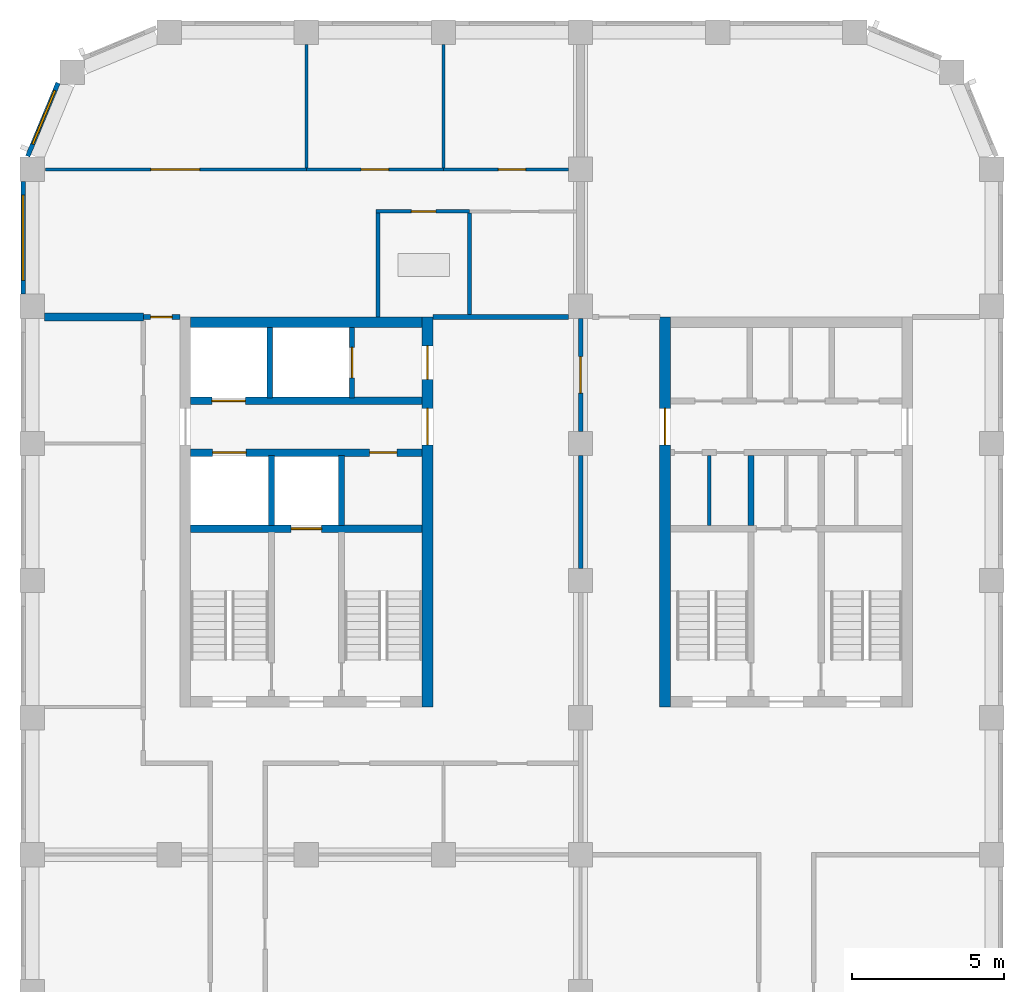
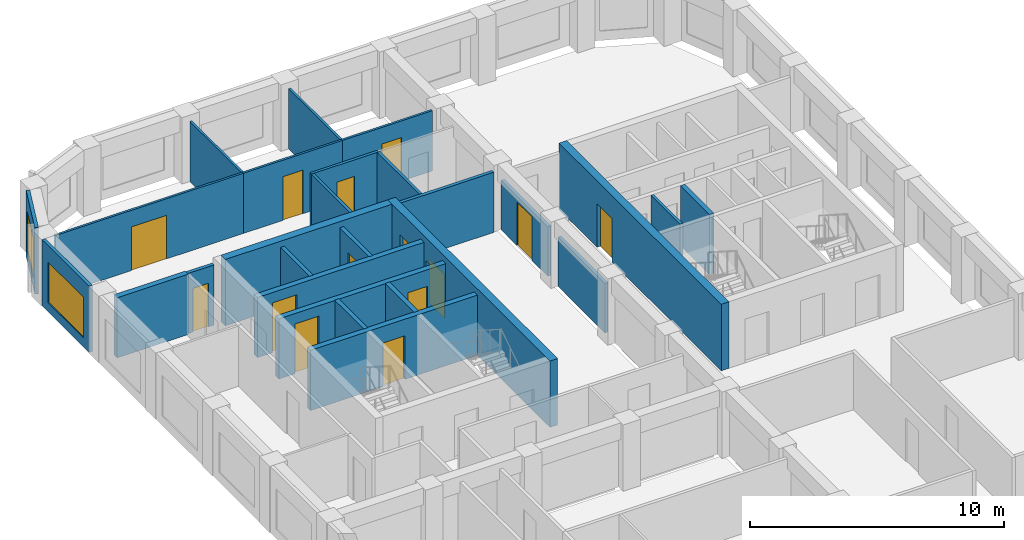
# One storey, part 5 of 9: 27 walls, 14 doors, 2 windows, 16 openings.
"""IFC4 building model written with IfcOpenShell, lengths in metres."""

from ifc_helpers import new_model, si_unit, direction, frame, frame_2d, origin, place, context, subcontext, project, spatial, rectangle, extrude, material, layer, layer_set, type_object, element, fill, save


model = new_model("IFC4")

# Units and contexts
model_context = context("Model", 3, precision=1e-05, world=origin(), true_north=direction((0.0, 1.0)))
body_context = subcontext(model_context, "Body", "Model", "MODEL_VIEW")
ifc_project = project(units=[si_unit("LENGTHUNIT", "METRE"), si_unit("AREAUNIT", "SQUARE_METRE"), si_unit("VOLUMEUNIT", "CUBIC_METRE"), si_unit("PLANEANGLEUNIT", "RADIAN"), si_unit("MASSUNIT", "GRAM", prefix="KILO")], contexts=[model_context])

# Site, building, storey
site_placement = place(None, origin())
site = spatial("IfcSite", under=ifc_project, at=site_placement, CompositionType="ELEMENT")
building_placement = place(site_placement, origin())
building = spatial("IfcBuilding", under=site, at=building_placement, Name="Girih Gate Residences", CompositionType="ELEMENT")
storey_placement = place(building_placement, frame((0.0, 0.0, 189.10009765625)))
storey = spatial("IfcBuildingStorey", under=building, at=storey_placement, Name="L52", CompositionType="ELEMENT", Elevation=189.10009765625)

# Walls
ifc_material_1 = material(Name="Gypsum board on steel studs", Category="steel")
ifc_layer_1 = layer(ifc_material_1, 0.25)
ifc_layer_set_1 = layer_set([ifc_layer_1], Name="Acoustic separating wall 250 mm")
wall_type_1 = type_object("IfcWallType", Name="Acoustic separating wall 250 mm", PredefinedType="PARTITIONING", material=ifc_layer_set_1)
wall_1_placement = place(storey_placement, frame((0.39990234375, 40.14990234375, 0.0), z_axis=(0.0, 0.0, 1.0), x_axis=(1.0, 0.0, 0.0)))
element("IfcWall", 1, at=wall_1_placement, inside=storey, type_object=wall_type_1, Name="L52 partition", PredefinedType="PARTITIONING", context=body_context, shape_type="SweptSolid", body=[
    extrude(rectangle(XDim=3.25, YDim=0.25, at=frame_2d((1.625, 0.0))), origin(), (0.0, 0.0, 1.0), 2.89990234375),
])
ifc_layer_2 = layer(ifc_material_1, 0.14990234375)
ifc_layer_set_2 = layer_set([ifc_layer_2], Name="Compartment wall 150 mm")
wall_type_2 = type_object("IfcWallType", Name="Compartment wall 150 mm", PredefinedType="PARTITIONING", material=ifc_layer_set_2)
wall_2_placement = place(storey_placement, frame((13.14990234375, 40.14990234375, 0.0), z_axis=(0.0, 0.0, 1.0), x_axis=(1.0, 0.0, 0.0)))
element("IfcWall", 2, at=wall_2_placement, inside=storey, type_object=wall_type_2, Name="L52 partition", PredefinedType="PARTITIONING", context=body_context, shape_type="SweptSolid", body=[
    extrude(rectangle(XDim=4.4501953125, YDim=0.14990234375, at=frame_2d((2.22509765625, 0.0))), origin(), (0.0, 0.0, 1.0), 2.89990234375),
])

# Wall, opening, door
wall_3_placement = place(storey_placement, frame((3.64990234375, 40.14990234375, 0.0), z_axis=(0.0, 0.0, 1.0), x_axis=(1.0, 0.0, 0.0)))
wall_3 = element("IfcWall", 3, at=wall_3_placement, inside=storey, type_object=wall_type_2, Name="L52 partition", PredefinedType="PARTITIONING", context=body_context, shape_type="SweptSolid", body=[
    extrude(rectangle(XDim=1.2001953125, YDim=0.14990234375, at=frame_2d((0.60009765625, 0.0))), origin(), (0.0, 0.0, 1.0), 2.89990234375),
])
opening_1_placement = place(wall_3_placement, frame((0.239990234375, 0.0, 0.0)))
opening_1 = element("IfcOpeningElement", 4, at=opening_1_placement, cuts=wall_3, Name="Opening A52-012", PredefinedType="OPENING", context=body_context, shape_type="SweptSolid", body=[
    extrude(rectangle(XDim=0.699951171875, YDim=2.10009765625, at=frame_2d((0.35009765625, 1.050048828125))), frame((0.0, 0.0849609375, 0.0), z_axis=(0.0, -1.0, 0.0), x_axis=(1.0, 0.0, 0.0)), (0.0, 0.0, 1.0), 0.169921875),
])
ifc_material_2 = material(Name="Timber", Category="wood")
door_type_1 = type_object("IfcDoorType", Name="Narrow door 700x2100", OperationType="NOTDEFINED", PredefinedType="DOOR", material=ifc_material_2)
door_1_placement = place(opening_1_placement, origin())
door_1 = element("IfcDoor", 5, at=door_1_placement, inside=storey, type_object=door_type_1, Name="Door A52-012", OperationType="SINGLE_SWING_LEFT", OverallHeight=2.10009765625, OverallWidth=0.699951171875, PredefinedType="DOOR", context=body_context, shape_type="SweptSolid", body=[
    extrude(rectangle(XDim=0.699951171875, YDim=2.10009765625, at=frame_2d((0.35009765625, 1.050048828125))), frame((0.0, 0.02490234375, 0.0), z_axis=(0.0, -1.0, 0.0), x_axis=(1.0, 0.0, 0.0)), (0.0, 0.0, 1.0), 0.050048828125),
])
fill(opening_1, door_1)

# Wall
wall_4_placement = place(storey_placement, frame((18.0, 31.89990234375, 0.0), z_axis=(0.0, 0.0, 1.0), x_axis=(0.0, 1.0, 0.0)))
element("IfcWall", 6, at=wall_4_placement, inside=storey, type_object=wall_type_2, Name="L52 partition", PredefinedType="PARTITIONING", context=body_context, shape_type="SweptSolid", body=[
    extrude(rectangle(XDim=3.7001953125, YDim=0.14990234375, at=frame_2d((1.85009765625, 0.0))), origin(), (0.0, 0.0, 1.0), 2.3798828125),
])

# Wall, opening, door
wall_5_placement = place(storey_placement, frame((18.0, 40.10009765625, 0.0), z_axis=(0.0, 0.0, 1.0), x_axis=(0.0, -1.0, 0.0)))
wall_5 = element("IfcWall", 7, at=wall_5_placement, inside=storey, type_object=wall_type_2, Name="L52 partition", PredefinedType="PARTITIONING", context=body_context, shape_type="SweptSolid", body=[
    extrude(rectangle(XDim=3.7001953125, YDim=0.14990234375, at=frame_2d((1.85009765625, 0.0))), origin(), (0.0, 0.0, 1.0), 2.3798828125),
])
opening_2_placement = place(wall_5_placement, frame((1.25, 0.0, 0.0)))
opening_2 = element("IfcOpeningElement", 8, at=opening_2_placement, cuts=wall_5, Name="Opening A52-015", PredefinedType="OPENING", context=body_context, shape_type="SweptSolid", body=[
    extrude(rectangle(XDim=1.199951171875, YDim=2.10009765625, at=frame_2d((0.60009765625, 1.050048828125))), frame((0.0, 0.0849609375, 0.0), z_axis=(0.0, -1.0, 0.0), x_axis=(1.0, 0.0, 0.0)), (0.0, 0.0, 1.0), 0.169921875),
])
ifc_material_3 = material(Name="Timber, fire-rated core", Category="wood")
door_type_2 = type_object("IfcDoorType", Name="Corridor fire door 1200x2100 FD30S", OperationType="NOTDEFINED", PredefinedType="DOOR", material=ifc_material_3)
door_2_placement = place(opening_2_placement, origin())
door_2 = element("IfcDoor", 9, at=door_2_placement, inside=storey, type_object=door_type_2, Name="Door A52-015", OperationType="SINGLE_SWING_LEFT", OverallHeight=2.10009765625, OverallWidth=1.199951171875, PredefinedType="DOOR", context=body_context, shape_type="SweptSolid", body=[
    extrude(rectangle(XDim=1.199951171875, YDim=2.10009765625, at=frame_2d((0.60009765625, 1.050048828125))), frame((0.0, 0.02490234375, 0.0), z_axis=(0.0, -1.0, 0.0), x_axis=(1.0, 0.0, 0.0)), (0.0, 0.0, 1.0), 0.050048828125),
])
fill(opening_2, door_2)

# Wall
ifc_material_4 = material(Name="Concrete C60/75", Category="concrete")
ifc_layer_3 = layer(ifc_material_4, 0.35009765625)
ifc_layer_set_3 = layer_set([ifc_layer_3], Name="Core wall RC 350 Concrete C60/75")
wall_type_3 = type_object("IfcWallType", Name="Core wall RC 350 Concrete C60/75", PredefinedType="SOLIDWALL", material=ifc_layer_set_3)
wall_6_placement = place(storey_placement, frame((5.199951171875, 39.97509765625, 0.0), z_axis=(0.0, 0.0, 1.0), x_axis=(1.0, 0.0, 0.0)))
element("IfcWall", 10, at=wall_6_placement, inside=storey, type_object=wall_type_3, Name="Core wall W-N L52", PredefinedType="SOLIDWALL", context=body_context, shape_type="SweptSolid", body=[
    extrude(rectangle(XDim=7.60009765625, YDim=0.35009765625, at=frame_2d((3.800048828125, 0.0))), origin(), (0.0, 0.0, 1.0), 3.199951171875),
])

# Wall, openings, doors
wall_7_placement = place(storey_placement, frame((12.97509765625, 27.35009765625, 0.0), z_axis=(0.0, 0.0, 1.0), x_axis=(0.0, 1.0, 0.0)))
wall_7 = element("IfcWall", 11, at=wall_7_placement, inside=storey, type_object=wall_type_3, Name="Core wall W-E L52", PredefinedType="SOLIDWALL", context=body_context, shape_type="SweptSolid", body=[
    extrude(rectangle(XDim=12.7998046875, YDim=0.35009765625, at=frame_2d((6.39990234375, 0.0))), origin(), (0.0, 0.0, 1.0), 3.199951171875),
])
opening_3_placement = place(wall_7_placement, frame((10.75, 0.0, 0.0)))
opening_3 = element("IfcOpeningElement", 12, at=opening_3_placement, cuts=wall_7, Name="Opening D-L52-W-011", PredefinedType="OPENING", context=body_context, shape_type="SweptSolid", body=[
    extrude(rectangle(XDim=1.10009765625, YDim=2.10009765625, at=frame_2d((0.550048828125, 1.050048828125))), frame((0.0, 0.18505859375, 0.0), z_axis=(0.0, -1.0, 0.0), x_axis=(1.0, 0.0, 0.0)), (0.0, 0.0, 1.0), 0.3701171875),
])
opening_4_placement = place(wall_7_placement, frame((8.60009765625, 0.0, 0.0)))
opening_4 = element("IfcOpeningElement", 13, at=opening_4_placement, cuts=wall_7, Name="Opening D-L52-W-013", PredefinedType="OPENING", context=body_context, shape_type="SweptSolid", body=[
    extrude(rectangle(XDim=1.199951171875, YDim=2.10009765625, at=frame_2d((0.60009765625, 1.050048828125))), frame((0.0, 0.18505859375, 0.0), z_axis=(0.0, -1.0, 0.0), x_axis=(1.0, 0.0, 0.0)), (0.0, 0.0, 1.0), 0.3701171875),
])
ifc_material_5 = material(Name="Painted steel, fire-resisting", Category="steel")
door_type_3 = type_object("IfcDoorType", Name="Fire door 1100x2100", OperationType="SINGLE_SWING_LEFT", PredefinedType="DOOR", material=ifc_material_5)
door_3_placement = place(opening_3_placement, origin())
door_3 = element("IfcDoor", 14, at=door_3_placement, inside=storey, type_object=door_type_3, Name="L52 W core door ffl2-e", OperationType="SINGLE_SWING_LEFT", OverallHeight=2.10009765625, OverallWidth=1.10009765625, PredefinedType="DOOR", context=body_context, shape_type="SweptSolid", body=[
    extrude(rectangle(XDim=1.10009765625, YDim=2.10009765625, at=frame_2d((0.550048828125, 1.050048828125))), frame((0.0, 0.02490234375, 0.0), z_axis=(0.0, -1.0, 0.0), x_axis=(1.0, 0.0, 0.0)), (0.0, 0.0, 1.0), 0.050048828125),
])
fill(opening_3, door_3)
door_type_4 = type_object("IfcDoorType", Name="Fire door 1200x2100", OperationType="SINGLE_SWING_LEFT", PredefinedType="DOOR", material=ifc_material_5)
door_4_placement = place(opening_4_placement, origin())
door_4 = element("IfcDoor", 15, at=door_4_placement, inside=storey, type_object=door_type_4, Name="L52 W core door ll-e", OperationType="SINGLE_SWING_LEFT", OverallHeight=2.10009765625, OverallWidth=1.199951171875, PredefinedType="DOOR", context=body_context, shape_type="SweptSolid", body=[
    extrude(rectangle(XDim=1.199951171875, YDim=2.10009765625, at=frame_2d((0.60009765625, 1.050048828125))), frame((0.0, 0.02490234375, 0.0), z_axis=(0.0, -1.0, 0.0), x_axis=(1.0, 0.0, 0.0)), (0.0, 0.0, 1.0), 0.050048828125),
])
fill(opening_4, door_4)

# Wall, opening, door
ifc_material_6 = material(Name="Concrete C40/50", Category="concrete")
ifc_layer_4 = layer(ifc_material_6, 0.25)
ifc_layer_set_4 = layer_set([ifc_layer_4], Name="Lift shaft wall 250")
wall_type_4 = type_object("IfcWallType", Name="Lift shaft wall 250", PredefinedType="SOLIDWALL", material=ifc_layer_set_4)
wall_8_placement = place(storey_placement, frame((5.199951171875, 33.199951171875, 0.0), z_axis=(0.0, 0.0, 1.0), x_axis=(1.0, 0.0, 0.0)))
wall_8 = element("IfcWall", 16, at=wall_8_placement, inside=storey, type_object=wall_type_4, Name="L52 W core wall H1", PredefinedType="SOLIDWALL", context=body_context, shape_type="SweptSolid", body=[
    extrude(rectangle(XDim=7.60009765625, YDim=0.25, at=frame_2d((3.800048828125, 0.0))), origin(), (0.0, 0.0, 1.0), 2.89990234375),
])
opening_5_placement = place(wall_8_placement, frame((3.300048828125, 0.0, 0.0)))
opening_5 = element("IfcOpeningElement", 17, at=opening_5_placement, cuts=wall_8, Name="Opening D-L52-W-006", PredefinedType="OPENING", context=body_context, shape_type="SweptSolid", body=[
    extrude(rectangle(XDim=1.0, YDim=2.10009765625, at=frame_2d((0.5, 1.050048828125))), frame((0.0, 0.135009765625, 0.0), z_axis=(0.0, -1.0, 0.0), x_axis=(1.0, 0.0, 0.0)), (0.0, 0.0, 1.0), 0.27001953125),
])
ifc_material_7 = material(Name="Stainless steel, fire-resisting", Category="steel")
door_type_5 = type_object("IfcDoorType", Name="Firefighting lift landing door 1000x2100", OperationType="SLIDING_TO_LEFT", PredefinedType="DOOR", material=ifc_material_7)
door_5_placement = place(opening_5_placement, origin())
door_5 = element("IfcDoor", 18, at=door_5_placement, inside=storey, type_object=door_type_5, Name="L52 lift FF-W landing door", OperationType="SLIDING_TO_LEFT", OverallHeight=2.10009765625, OverallWidth=1.0, PredefinedType="DOOR", context=body_context, shape_type="SweptSolid", body=[
    extrude(rectangle(XDim=1.0, YDim=2.10009765625, at=frame_2d((0.5, 1.050048828125))), frame((0.0, 0.02490234375, 0.0), z_axis=(0.0, -1.0, 0.0), x_axis=(1.0, 0.0, 0.0)), (0.0, 0.0, 1.0), 0.050048828125),
])
fill(opening_5, door_5)

# Wall, openings, doors
wall_9_placement = place(storey_placement, frame((5.199951171875, 35.699951171875, 0.0), z_axis=(0.0, 0.0, 1.0), x_axis=(1.0, 0.0, 0.0)))
wall_9 = element("IfcWall", 19, at=wall_9_placement, inside=storey, type_object=wall_type_4, Name="L52 W core wall H2", PredefinedType="SOLIDWALL", context=body_context, shape_type="SweptSolid", body=[
    extrude(rectangle(XDim=7.60009765625, YDim=0.25, at=frame_2d((3.800048828125, 0.0))), origin(), (0.0, 0.0, 1.0), 2.89990234375),
])
opening_6_placement = place(wall_9_placement, frame((0.72509765625, 0.0, 0.0)))
opening_6 = element("IfcOpeningElement", 20, at=opening_6_placement, cuts=wall_9, Name="Opening D-L52-W-005", PredefinedType="OPENING", context=body_context, shape_type="SweptSolid", body=[
    extrude(rectangle(XDim=1.10009765625, YDim=2.39990234375, at=frame_2d((0.550048828125, 1.199951171875))), frame((0.0, 0.135009765625, 0.0), z_axis=(0.0, -1.0, 0.0), x_axis=(1.0, 0.0, 0.0)), (0.0, 0.0, 1.0), 0.27001953125),
])
opening_7_placement = place(wall_9_placement, frame((5.875, 0.0, 0.0)))
opening_7 = element("IfcOpeningElement", 21, at=opening_7_placement, cuts=wall_9, Name="Opening D-L52-W-007", PredefinedType="OPENING", context=body_context, shape_type="SweptSolid", body=[
    extrude(rectangle(XDim=0.89990234375, YDim=2.10009765625, at=frame_2d((0.449951171875, 1.050048828125))), frame((0.0, 0.135009765625, 0.0), z_axis=(0.0, -1.0, 0.0), x_axis=(1.0, 0.0, 0.0)), (0.0, 0.0, 1.0), 0.27001953125),
])
door_type_6 = type_object("IfcDoorType", Name="Fire door 900x2100", OperationType="SINGLE_SWING_LEFT", PredefinedType="DOOR", material=ifc_material_5)
door_6_placement = place(opening_7_placement, origin())
door_6 = element("IfcDoor", 22, at=door_6_placement, inside=storey, type_object=door_type_6, Name="L52 W linen store door", OperationType="SINGLE_SWING_LEFT", OverallHeight=2.10009765625, OverallWidth=0.89990234375, PredefinedType="DOOR", context=body_context, shape_type="SweptSolid", body=[
    extrude(rectangle(XDim=0.89990234375, YDim=2.10009765625, at=frame_2d((0.449951171875, 1.050048828125))), frame((0.0, 0.02490234375, 0.0), z_axis=(0.0, -1.0, 0.0), x_axis=(1.0, 0.0, 0.0)), (0.0, 0.0, 1.0), 0.050048828125),
])
fill(opening_7, door_6)
ifc_material_8 = material(Name="Stainless steel", Category="steel")
door_type_7 = type_object("IfcDoorType", Name="Lift landing door 1100x2400", OperationType="SLIDING_TO_LEFT", PredefinedType="DOOR", material=ifc_material_8)
door_7_placement = place(opening_6_placement, origin())
door_7 = element("IfcDoor", 23, at=door_7_placement, inside=storey, type_object=door_type_7, Name="L52 lift HR-W1 landing door", OperationType="SLIDING_TO_LEFT", OverallHeight=2.39990234375, OverallWidth=1.10009765625, PredefinedType="DOOR", context=body_context, shape_type="SweptSolid", body=[
    extrude(rectangle(XDim=1.10009765625, YDim=2.39990234375, at=frame_2d((0.550048828125, 1.199951171875))), frame((0.0, 0.02490234375, 0.0), z_axis=(0.0, -1.0, 0.0), x_axis=(1.0, 0.0, 0.0)), (0.0, 0.0, 1.0), 0.050048828125),
])
fill(opening_6, door_7)

# Wall, opening, door
wall_10_placement = place(storey_placement, frame((5.199951171875, 37.39990234375, 0.0), z_axis=(0.0, 0.0, 1.0), x_axis=(1.0, 0.0, 0.0)))
wall_10 = element("IfcWall", 24, at=wall_10_placement, inside=storey, type_object=wall_type_4, Name="L52 W core wall H3", PredefinedType="SOLIDWALL", context=body_context, shape_type="SweptSolid", body=[
    extrude(rectangle(XDim=7.60009765625, YDim=0.25, at=frame_2d((3.800048828125, 0.0))), origin(), (0.0, 0.0, 1.0), 2.89990234375),
])
opening_8_placement = place(wall_10_placement, frame((0.699951171875, 0.0, 0.0)))
opening_8 = element("IfcOpeningElement", 25, at=opening_8_placement, cuts=wall_10, Name="Opening D-L52-W-003", PredefinedType="OPENING", context=body_context, shape_type="SweptSolid", body=[
    extrude(rectangle(XDim=1.10009765625, YDim=2.39990234375, at=frame_2d((0.550048828125, 1.199951171875))), frame((0.0, 0.135009765625, 0.0), z_axis=(0.0, -1.0, 0.0), x_axis=(1.0, 0.0, 0.0)), (0.0, 0.0, 1.0), 0.27001953125),
])
door_8_placement = place(opening_8_placement, origin())
door_8 = element("IfcDoor", 26, at=door_8_placement, inside=storey, type_object=door_type_7, Name="L52 lift LR-W1 landing door", OperationType="SLIDING_TO_LEFT", OverallHeight=2.39990234375, OverallWidth=1.10009765625, PredefinedType="DOOR", context=body_context, shape_type="SweptSolid", body=[
    extrude(rectangle(XDim=1.10009765625, YDim=2.39990234375, at=frame_2d((0.550048828125, 1.199951171875))), frame((0.0, 0.02490234375, 0.0), z_axis=(0.0, -1.0, 0.0), x_axis=(1.0, 0.0, 0.0)), (0.0, 0.0, 1.0), 0.050048828125),
])
fill(opening_8, door_8)

# Wall
ifc_layer_5 = layer(ifc_material_1, 0.10009765625)
ifc_layer_set_5 = layer_set([ifc_layer_5], Name="Partition 100 mm")
wall_type_5 = type_object("IfcWallType", Name="Partition 100 mm", PredefinedType="PARTITIONING", material=ifc_layer_set_5)
wall_11_placement = place(storey_placement, frame((13.5, 45.050048828125, 0.0), z_axis=(0.0, 0.0, 1.0), x_axis=(0.0, 1.0, 0.0)))
element("IfcWall", 27, at=wall_11_placement, inside=storey, type_object=wall_type_5, Name="L52 partition", PredefinedType="PARTITIONING", context=body_context, shape_type="SweptSolid", body=[
    extrude(rectangle(XDim=4.050048828125, YDim=0.10009765625, at=frame_2d((2.02490234375, 0.0))), origin(), (0.0, 0.0, 1.0), 2.89990234375),
])

# Wall, opening, door
wall_12_placement = place(storey_placement, frame((9.0, 45.0, 0.0), z_axis=(0.0, 0.0, 1.0), x_axis=(1.0, 0.0, 0.0)))
wall_12 = element("IfcWall", 28, at=wall_12_placement, inside=storey, type_object=wall_type_5, Name="L52 partition", PredefinedType="PARTITIONING", context=body_context, shape_type="SweptSolid", body=[
    extrude(rectangle(XDim=4.5, YDim=0.10009765625, at=frame_2d((2.25, 0.0))), origin(), (0.0, 0.0, 1.0), 2.89990234375),
])
opening_9_placement = place(wall_12_placement, frame((1.800048828125, 0.0, 0.0)))
opening_9 = element("IfcOpeningElement", 29, at=opening_9_placement, cuts=wall_12, Name="Opening A52-008", PredefinedType="OPENING", context=body_context, shape_type="SweptSolid", body=[
    extrude(rectangle(XDim=0.89990234375, YDim=2.10009765625, at=frame_2d((0.449951171875, 1.050048828125))), frame((0.0, 0.06005859375, 0.0), z_axis=(0.0, -1.0, 0.0), x_axis=(1.0, 0.0, 0.0)), (0.0, 0.0, 1.0), 0.1201171875),
])
door_type_8 = type_object("IfcDoorType", Name="Bedroom door 900x2100", OperationType="NOTDEFINED", PredefinedType="DOOR", material=ifc_material_2)
door_9_placement = place(opening_9_placement, origin())
door_9 = element("IfcDoor", 30, at=door_9_placement, inside=storey, type_object=door_type_8, Name="Door A52-008", OperationType="SINGLE_SWING_LEFT", OverallHeight=2.10009765625, OverallWidth=0.89990234375, PredefinedType="DOOR", context=body_context, shape_type="SweptSolid", body=[
    extrude(rectangle(XDim=0.89990234375, YDim=2.10009765625, at=frame_2d((0.449951171875, 1.050048828125))), frame((0.0, 0.02490234375, 0.0), z_axis=(0.0, -1.0, 0.0), x_axis=(1.0, 0.0, 0.0)), (0.0, 0.0, 1.0), 0.050048828125),
])
fill(opening_9, door_9)

# Wall
wall_13_placement = place(storey_placement, frame((9.0, 45.050048828125, 0.0), z_axis=(0.0, 0.0, 1.0), x_axis=(0.0, 1.0, 0.0)))
element("IfcWall", 31, at=wall_13_placement, inside=storey, type_object=wall_type_5, Name="L52 partition", PredefinedType="PARTITIONING", context=body_context, shape_type="SweptSolid", body=[
    extrude(rectangle(XDim=4.050048828125, YDim=0.10009765625, at=frame_2d((2.02490234375, 0.0))), origin(), (0.0, 0.0, 1.0), 2.89990234375),
])

# Wall, opening, door
wall_14_placement = place(storey_placement, frame((13.5, 45.0, 0.0), z_axis=(0.0, 0.0, 1.0), x_axis=(1.0, 0.0, 0.0)))
wall_14 = element("IfcWall", 32, at=wall_14_placement, inside=storey, type_object=wall_type_5, Name="L52 partition", PredefinedType="PARTITIONING", context=body_context, shape_type="SweptSolid", body=[
    extrude(rectangle(XDim=4.10009765625, YDim=0.10009765625, at=frame_2d((2.050048828125, 0.0))), origin(), (0.0, 0.0, 1.0), 2.89990234375),
])
opening_10_placement = place(wall_14_placement, frame((1.800048828125, 0.0, 0.0)))
opening_10 = element("IfcOpeningElement", 33, at=opening_10_placement, cuts=wall_14, Name="Opening A52-009", PredefinedType="OPENING", context=body_context, shape_type="SweptSolid", body=[
    extrude(rectangle(XDim=0.89990234375, YDim=2.10009765625, at=frame_2d((0.449951171875, 1.050048828125))), frame((0.0, 0.06005859375, 0.0), z_axis=(0.0, -1.0, 0.0), x_axis=(1.0, 0.0, 0.0)), (0.0, 0.0, 1.0), 0.1201171875),
])
door_10_placement = place(opening_10_placement, origin())
door_10 = element("IfcDoor", 34, at=door_10_placement, inside=storey, type_object=door_type_8, Name="Door A52-009", OperationType="SINGLE_SWING_RIGHT", OverallHeight=2.10009765625, OverallWidth=0.89990234375, PredefinedType="DOOR", context=body_context, shape_type="SweptSolid", body=[
    extrude(rectangle(XDim=0.89990234375, YDim=2.10009765625, at=frame_2d((0.449951171875, 1.050048828125))), frame((0.0, 0.02490234375, 0.0), z_axis=(0.0, -1.0, 0.0), x_axis=(1.0, 0.0, 0.0)), (0.0, 0.0, 1.0), 0.050048828125),
])
fill(opening_10, door_10)

wall_15_placement = place(storey_placement, frame((0.432861328125, 45.0, 0.0), z_axis=(0.0, 0.0, 1.0), x_axis=(1.0, 0.0, 0.0)))
wall_15 = element("IfcWall", 35, at=wall_15_placement, inside=storey, type_object=wall_type_5, Name="L52 partition", PredefinedType="PARTITIONING", context=body_context, shape_type="SweptSolid", body=[
    extrude(rectangle(XDim=8.567138671875, YDim=0.10009765625, at=frame_2d((4.28369140625, 0.0))), origin(), (0.0, 0.0, 1.0), 2.89990234375),
])
opening_11_placement = place(wall_15_placement, frame((3.467041015625, 0.0, 0.0)))
opening_11 = element("IfcOpeningElement", 36, at=opening_11_placement, cuts=wall_15, Name="Opening A52-011", PredefinedType="OPENING", context=body_context, shape_type="SweptSolid", body=[
    extrude(rectangle(XDim=1.60009765625, YDim=2.10009765625, at=frame_2d((0.800048828125, 1.050048828125))), frame((0.0, 0.06005859375, 0.0), z_axis=(0.0, -1.0, 0.0), x_axis=(1.0, 0.0, 0.0)), (0.0, 0.0, 1.0), 0.1201171875),
])
door_type_9 = type_object("IfcDoorType", Name="Double leaf door 1600x2100", OperationType="NOTDEFINED", PredefinedType="DOOR", material=ifc_material_2)
door_11_placement = place(opening_11_placement, origin())
door_11 = element("IfcDoor", 37, at=door_11_placement, inside=storey, type_object=door_type_9, Name="Door A52-011", OperationType="SINGLE_SWING_LEFT", OverallHeight=2.10009765625, OverallWidth=1.60009765625, PredefinedType="DOOR", context=body_context, shape_type="SweptSolid", body=[
    extrude(rectangle(XDim=1.60009765625, YDim=2.10009765625, at=frame_2d((0.800048828125, 1.050048828125))), frame((0.0, 0.02490234375, 0.0), z_axis=(0.0, -1.0, 0.0), x_axis=(1.0, 0.0, 0.0)), (0.0, 0.0, 1.0), 0.050048828125),
])
fill(opening_11, door_11)

# Wall, opening, window
ifc_material_9 = material(Name="Precast concrete C50/60", Category="concrete")
ifc_layer_6 = layer(ifc_material_9, 0.050048828125, Name="Outer leaf")
ifc_material_10 = material(Name="Rigid PIR insulation")
ifc_layer_7 = layer(ifc_material_10, 0.06005859375, Name="Insulation")
ifc_material_11 = material(Name="Precast concrete C40/50", Category="concrete")
ifc_layer_8 = layer(ifc_material_11, 0.0400390625, Name="Inner leaf")
ifc_layer_set_6 = layer_set([ifc_layer_6, ifc_layer_7, ifc_layer_8], Name="Precast concrete C50/60 external wall 150")
wall_type_6 = type_object("IfcWallType", Name="Precast concrete C50/60 external wall 150", PredefinedType="SOLIDWALL", material=ifc_layer_set_6)
wall_16_placement = place(storey_placement, frame((-0.147216796875, 45.4287109375, 0.0), z_axis=(0.0, 0.0, 1.0), x_axis=(0.382669406082, 0.923885342263, 0.0)))
wall_16 = element("IfcWall", 38, at=wall_16_placement, inside=storey, type_object=wall_type_6, Name="External wall NW0013_0482.0", PredefinedType="SOLIDWALL", context=body_context, shape_type="SweptSolid", body=[
    extrude(rectangle(XDim=2.602294921875, YDim=0.14990234375, at=frame_2d((1.30126953125, 0.0))), origin(), (0.0, 0.0, 1.0), 3.199951171875),
])
opening_12_placement = place(wall_16_placement, frame((0.432373046875, 0.0, 0.449951171875)))
opening_12 = element("IfcOpeningElement", 39, at=opening_12_placement, cuts=wall_16, Name="Opening W-2G", PredefinedType="OPENING", context=body_context, shape_type="SweptSolid", body=[
    extrude(rectangle(XDim=1.89990234375, YDim=1.949951171875, at=frame_2d((0.949951171875, 0.97509765625))), frame((0.0, 0.0849609375, 0.0), z_axis=(0.0, -1.0, 0.0), x_axis=(1.0, 0.0, 0.0)), (0.0, 0.0, 1.0), 0.169921875),
])
ifc_material_12 = material(Name="Double glazing in aluminium frame", Category="aluminium")
window_type_1 = type_object("IfcWindowType", Name="Window W-2G 1900x1950", PartitioningType="SINGLE_PANEL", PredefinedType="WINDOW", material=ifc_material_12)
window_1_placement = place(opening_12_placement, origin())
window_1 = element("IfcWindow", 40, at=window_1_placement, inside=storey, type_object=window_type_1, Name="Window W-2G NW0013_0482.0", OverallHeight=1.949951171875, OverallWidth=1.89990234375, PartitioningType="SINGLE_PANEL", PredefinedType="WINDOW", context=body_context, shape_type="SweptSolid", body=[
    extrude(rectangle(XDim=1.89990234375, YDim=1.949951171875, at=frame_2d((0.949951171875, 0.97509765625))), frame((0.0, 0.030029296875, 0.0), z_axis=(0.0, -1.0, 0.0), x_axis=(1.0, 0.0, 0.0)), (0.0, 0.0, 1.0), 0.06005859375),
])
fill(opening_12, window_1)

wall_17_placement = place(storey_placement, frame((-0.300048828125, 40.89990234375, 0.0), z_axis=(0.0, 0.0, 1.0), x_axis=(0.0, 1.0, 0.0)))
wall_17 = element("IfcWall", 41, at=wall_17_placement, inside=storey, type_object=wall_type_6, Name="External wall W0000_0450.0", PredefinedType="SOLIDWALL", context=body_context, shape_type="SweptSolid", body=[
    extrude(rectangle(XDim=3.7001953125, YDim=0.14990234375, at=frame_2d((1.85009765625, 0.0))), origin(), (0.0, 0.0, 1.0), 3.199951171875),
])
opening_13_placement = place(wall_17_placement, frame((0.449951171875, 0.0, 0.449951171875)))
opening_13 = element("IfcOpeningElement", 42, at=opening_13_placement, cuts=wall_17, Name="Opening W-1B", PredefinedType="OPENING", context=body_context, shape_type="SweptSolid", body=[
    extrude(rectangle(XDim=2.800048828125, YDim=1.949951171875, at=frame_2d((1.39990234375, 0.97509765625))), frame((0.0, 0.0849609375, 0.0), z_axis=(0.0, -1.0, 0.0), x_axis=(1.0, 0.0, 0.0)), (0.0, 0.0, 1.0), 0.169921875),
])
window_type_2 = type_object("IfcWindowType", Name="Window W-1B 2800x1950", PartitioningType="SINGLE_PANEL", PredefinedType="WINDOW", material=ifc_material_12)
window_2_placement = place(opening_13_placement, origin())
window_2 = element("IfcWindow", 43, at=window_2_placement, inside=storey, type_object=window_type_2, Name="Window W-1B W0000_0450.0", OverallHeight=1.949951171875, OverallWidth=2.800048828125, PartitioningType="SINGLE_PANEL", PredefinedType="WINDOW", context=body_context, shape_type="SweptSolid", body=[
    extrude(rectangle(XDim=2.800048828125, YDim=1.949951171875, at=frame_2d((1.39990234375, 0.97509765625))), frame((0.0, 0.030029296875, 0.0), z_axis=(0.0, -1.0, 0.0), x_axis=(1.0, 0.0, 0.0)), (0.0, 0.0, 1.0), 0.06005859375),
])
fill(opening_13, window_2)

# Wall
ifc_layer_9 = layer(ifc_material_6, 0.175048828125)
ifc_layer_set_7 = layer_set([ifc_layer_9], Name="Riser shaft wall 175")
wall_type_7 = type_object("IfcWallType", Name="Riser shaft wall 175", PredefinedType="SOLIDWALL", material=ifc_layer_set_7)
wall_18_placement = place(storey_placement, frame((7.800048828125, 37.5, 0.0), z_axis=(0.0, 0.0, 1.0), x_axis=(0.0, 1.0, 0.0)))
element("IfcWall", 44, at=wall_18_placement, inside=storey, type_object=wall_type_7, Name="L52 W core wall V1c", PredefinedType="SOLIDWALL", context=body_context, shape_type="SweptSolid", body=[
    extrude(rectangle(XDim=2.300048828125, YDim=0.175048828125, at=frame_2d((1.14990234375, 0.0))), origin(), (0.0, 0.0, 1.0), 2.89990234375),
])

# Wall, opening, door
wall_19_placement = place(storey_placement, frame((10.5, 37.5, 0.0), z_axis=(0.0, 0.0, 1.0), x_axis=(0.0, 1.0, 0.0)))
wall_19 = element("IfcWall", 45, at=wall_19_placement, inside=storey, type_object=wall_type_7, Name="L52 W core wall V2c", PredefinedType="SOLIDWALL", context=body_context, shape_type="SweptSolid", body=[
    extrude(rectangle(XDim=2.300048828125, YDim=0.175048828125, at=frame_2d((1.14990234375, 0.0))), origin(), (0.0, 0.0, 1.0), 2.89990234375),
])
opening_14_placement = place(wall_19_placement, frame((0.64990234375, 0.0, 0.0)))
opening_14 = element("IfcOpeningElement", 46, at=opening_14_placement, cuts=wall_19, Name="Opening D-L52-W-004", PredefinedType="OPENING", context=body_context, shape_type="SweptSolid", body=[
    extrude(rectangle(XDim=1.0, YDim=2.10009765625, at=frame_2d((0.5, 1.050048828125))), frame((0.0, 0.097412109375, 0.0), z_axis=(0.0, -1.0, 0.0), x_axis=(1.0, 0.0, 0.0)), (0.0, 0.0, 1.0), 0.195068359375),
])
door_12_placement = place(opening_14_placement, origin())
door_12 = element("IfcDoor", 47, at=door_12_placement, inside=storey, type_object=door_type_5, Name="L52 lift FF-W2 landing door", OperationType="SLIDING_TO_LEFT", OverallHeight=2.10009765625, OverallWidth=1.0, PredefinedType="DOOR", context=body_context, shape_type="SweptSolid", body=[
    extrude(rectangle(XDim=1.0, YDim=2.10009765625, at=frame_2d((0.5, 1.050048828125))), frame((0.0, 0.02490234375, 0.0), z_axis=(0.0, -1.0, 0.0), x_axis=(1.0, 0.0, 0.0)), (0.0, 0.0, 1.0), 0.050048828125),
])
fill(opening_14, door_12)

# Walls
ifc_layer_10 = layer(ifc_material_6, 0.199951171875)
ifc_layer_set_8 = layer_set([ifc_layer_10], Name="Shaft wall 200")
wall_type_8 = type_object("IfcWallType", Name="Shaft wall 200", PredefinedType="SOLIDWALL", material=ifc_layer_set_8)
for number, where, z_axis, x_axis, name in (
    (48, (7.85009765625, 33.300048828125, 0.0), (0.0, 0.0, 1.0), (0.0, 1.0, 0.0), "L52 W core wall V1b"),
    (49, (10.14990234375, 33.300048828125, 0.0), (0.0, 0.0, 1.0), (0.0, 1.0, 0.0), "L52 W core wall V2b"),
    (50, (23.60009765625, 33.300048828125, 0.0), (0.0, 0.0, 1.0), (0.0, 1.0, 0.0), "L52 C core wall V1b"),
):
    element("IfcWall", number, at=place(storey_placement, frame(where, z_axis=z_axis, x_axis=x_axis)), inside=storey, type_object=wall_type_8, Name=name, PredefinedType="SOLIDWALL", context=body_context, shape_type="SweptSolid", body=[
        extrude(rectangle(XDim=2.300048828125, YDim=0.199951171875, at=frame_2d((1.14990234375, 0.0))), origin(), (0.0, 0.0, 1.0), 2.89990234375),
    ])

# Wall, opening, door
ifc_layer_11 = layer(ifc_material_6, 0.35009765625)
ifc_layer_set_9 = layer_set([ifc_layer_11], Name="Stair core wall RC 350 Concrete C40/50")
wall_type_9 = type_object("IfcWallType", Name="Stair core wall RC 350 Concrete C40/50", PredefinedType="SOLIDWALL", material=ifc_layer_set_9)
wall_20_placement = place(storey_placement, frame((20.77490234375, 27.35009765625, 0.0), z_axis=(0.0, 0.0, 1.0), x_axis=(0.0, 1.0, 0.0)))
wall_20 = element("IfcWall", 51, at=wall_20_placement, inside=storey, type_object=wall_type_9, Name="Stair core wall C-W L52", PredefinedType="SOLIDWALL", context=body_context, shape_type="SweptSolid", body=[
    extrude(rectangle(XDim=12.7998046875, YDim=0.35009765625, at=frame_2d((6.39990234375, 0.0))), origin(), (0.0, 0.0, 1.0), 3.199951171875),
])
opening_15_placement = place(wall_20_placement, frame((8.60009765625, 0.0, 0.0)))
opening_15 = element("IfcOpeningElement", 52, at=opening_15_placement, cuts=wall_20, Name="Opening D-L52-C-016", PredefinedType="OPENING", context=body_context, shape_type="SweptSolid", body=[
    extrude(rectangle(XDim=1.199951171875, YDim=2.10009765625, at=frame_2d((0.60009765625, 1.050048828125))), frame((0.0, 0.18505859375, 0.0), z_axis=(0.0, -1.0, 0.0), x_axis=(1.0, 0.0, 0.0)), (0.0, 0.0, 1.0), 0.3701171875),
])
door_13_placement = place(opening_15_placement, origin())
door_13 = element("IfcDoor", 53, at=door_13_placement, inside=storey, type_object=door_type_4, Name="L52 C core door ll-w", OperationType="SINGLE_SWING_LEFT", OverallHeight=2.10009765625, OverallWidth=1.199951171875, PredefinedType="DOOR", context=body_context, shape_type="SweptSolid", body=[
    extrude(rectangle(XDim=1.199951171875, YDim=2.10009765625, at=frame_2d((0.60009765625, 1.050048828125))), frame((0.0, 0.02490234375, 0.0), z_axis=(0.0, -1.0, 0.0), x_axis=(1.0, 0.0, 0.0)), (0.0, 0.0, 1.0), 0.050048828125),
])
fill(opening_15, door_13)

# Walls
ifc_material_13 = material(Name="Calcium silicate blockwork", Category="masonry")
ifc_layer_12 = layer(ifc_material_13, 0.125)
ifc_layer_set_10 = layer_set([ifc_layer_12], Name="Store partition 125")
wall_type_10 = type_object("IfcWallType", Name="Store partition 125", PredefinedType="PARTITIONING", material=ifc_layer_set_10)
wall_21_placement = place(storey_placement, frame((22.22509765625, 33.300048828125, 0.0), z_axis=(0.0, 0.0, 1.0), x_axis=(0.0, 1.0, 0.0)))
element("IfcWall", 54, at=wall_21_placement, inside=storey, type_object=wall_type_10, Name="L52 C core wall SHR1", PredefinedType="PARTITIONING", context=body_context, shape_type="SweptSolid", body=[
    extrude(rectangle(XDim=2.300048828125, YDim=0.125, at=frame_2d((1.14990234375, 0.0))), origin(), (0.0, 0.0, 1.0), 2.89990234375),
])
ifc_layer_13 = layer(ifc_material_1, 0.125)
ifc_layer_set_11 = layer_set([ifc_layer_13], Name="Wet room wall 125 mm")
wall_type_11 = type_object("IfcWallType", Name="Wet room wall 125 mm", PredefinedType="PARTITIONING", material=ifc_layer_set_11)
wall_22_placement = place(storey_placement, frame((11.35009765625, 40.14990234375, 0.0), z_axis=(0.0, 0.0, 1.0), x_axis=(0.0, 1.0, 0.0)))
element("IfcWall", 55, at=wall_22_placement, inside=storey, type_object=wall_type_11, Name="L52 partition", PredefinedType="PARTITIONING", context=body_context, shape_type="SweptSolid", body=[
    extrude(rectangle(XDim=3.40771484375, YDim=0.125, at=frame_2d((1.703857421875, 0.0))), origin(), (0.0, 0.0, 1.0), 2.89990234375),
])

# Wall, opening, door
wall_23_placement = place(storey_placement, frame((14.350341796875, 43.6201171875, 0.0), z_axis=(0.0, 0.0, 1.0), x_axis=(-1.0, 0.0, 0.0)))
wall_23 = element("IfcWall", 56, at=wall_23_placement, inside=storey, type_object=wall_type_11, Name="L52 partition", PredefinedType="PARTITIONING", context=body_context, shape_type="SweptSolid", body=[
    extrude(rectangle(XDim=3.062744140625, YDim=0.125, at=frame_2d((1.53125, 0.0))), origin(), (0.0, 0.0, 1.0), 2.89990234375),
])
opening_16_placement = place(wall_23_placement, frame((1.10009765625, 0.0, 0.0)))
opening_16 = element("IfcOpeningElement", 57, at=opening_16_placement, cuts=wall_23, Name="Opening A52-007", PredefinedType="OPENING", context=body_context, shape_type="SweptSolid", body=[
    extrude(rectangle(XDim=0.800048828125, YDim=2.10009765625, at=frame_2d((0.39990234375, 1.050048828125))), frame((0.0, 0.072509765625, 0.0), z_axis=(0.0, -1.0, 0.0), x_axis=(1.0, 0.0, 0.0)), (0.0, 0.0, 1.0), 0.14501953125),
])
door_type_10 = type_object("IfcDoorType", Name="Bathroom door 800x2100", OperationType="NOTDEFINED", PredefinedType="DOOR", material=ifc_material_2)
door_14_placement = place(opening_16_placement, origin())
door_14 = element("IfcDoor", 58, at=door_14_placement, inside=storey, type_object=door_type_10, Name="Door A52-007", OperationType="SINGLE_SWING_LEFT", OverallHeight=2.10009765625, OverallWidth=0.800048828125, PredefinedType="DOOR", context=body_context, shape_type="SweptSolid", body=[
    extrude(rectangle(XDim=0.800048828125, YDim=2.10009765625, at=frame_2d((0.39990234375, 1.050048828125))), frame((0.0, 0.02490234375, 0.0), z_axis=(0.0, -1.0, 0.0), x_axis=(1.0, 0.0, 0.0)), (0.0, 0.0, 1.0), 0.050048828125),
])
fill(opening_16, door_14)

# Wall
wall_24_placement = place(storey_placement, frame((14.35009765625, 40.22509765625, 0.0), z_axis=(0.0, 0.0, 1.0), x_axis=(0.0, 1.0, 0.0)))
element("IfcWall", 59, at=wall_24_placement, inside=storey, type_object=wall_type_11, Name="L52 partition", PredefinedType="PARTITIONING", context=body_context, shape_type="SweptSolid", body=[
    extrude(rectangle(XDim=3.33251953125, YDim=0.125, at=frame_2d((1.666259765625, 0.0))), origin(), (0.0, 0.0, 1.0), 2.89990234375),
])

save(model, "model.ifc")
